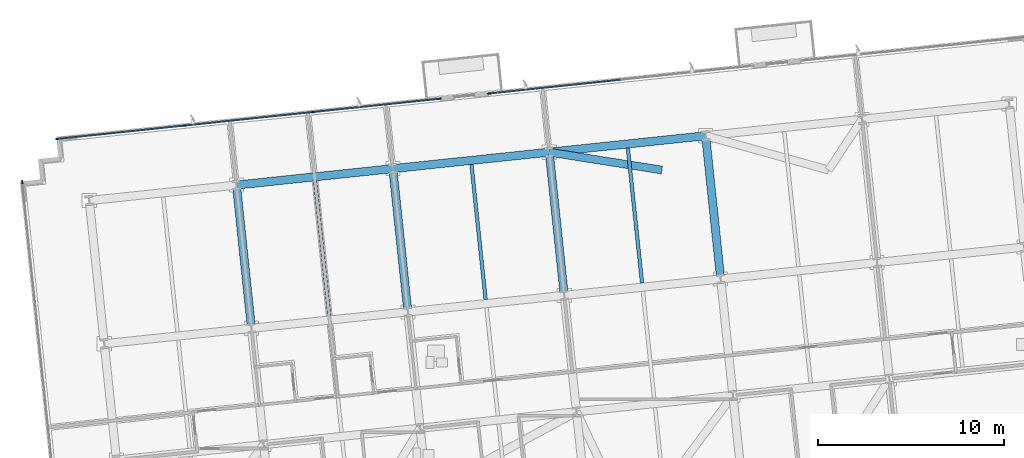
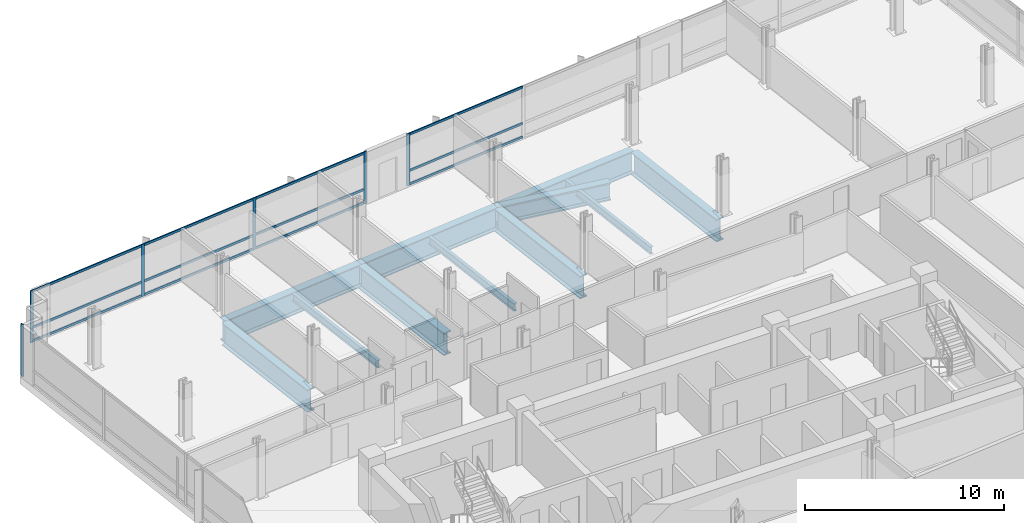
# One storey, part 7 of 18: 18 members, 11 beams, 3 elements without a shape of their own.
"""IFC4 building model written with IfcOpenShell, lengths in metres."""

from ifc_helpers import new_model, si_unit, direction, frame, origin, origin_2d, place, context, subcontext, project, spatial, rectangle, i_section, extrude, material, material_profile, profile_set, type_object, element, aggregate, save


model = new_model("IFC4")

# Units and contexts
model_context = context("Model", 3, precision=1e-05, world=origin(), true_north=direction((0.0, 1.0)))
body_context = subcontext(model_context, "Body", "Model", "MODEL_VIEW")
ifc_project = project(units=[si_unit("LENGTHUNIT", "METRE"), si_unit("AREAUNIT", "SQUARE_METRE"), si_unit("VOLUMEUNIT", "CUBIC_METRE"), si_unit("PLANEANGLEUNIT", "RADIAN"), si_unit("MASSUNIT", "GRAM", prefix="KILO")], contexts=[model_context])

# Site, building, storey
site_placement = place(None, origin())
site = spatial("IfcSite", under=ifc_project, at=site_placement, CompositionType="ELEMENT")
building_placement = place(site_placement, origin())
building = spatial("IfcBuilding", under=site, at=building_placement, Name="Solmavex Isthmus Hotel", CompositionType="ELEMENT")
storey_placement = place(building_placement, frame((0.0, 0.0, 80.10009765625)))
storey = spatial("IfcBuildingStorey", under=building, at=storey_placement, Name="L21", CompositionType="ELEMENT", Elevation=80.10009765625)

# Beams
ifc_material_1 = material(Name="Steel ASTM A992 Grade 50", Category="steel")
ifc_material_profile_1 = material_profile(ifc_material_1, i_section(OverallWidth=0.1904296875, OverallDepth=0.456787109375, WebThickness=0.009033203125, FlangeThickness=0.014404296875, FilletRadius=0.0126953125, at=origin_2d()), Name="W18X50")
ifc_profile_set_1 = profile_set([ifc_material_profile_1], Name="Steel ASTM A992 Grade 50")
beam_type_1 = type_object("IfcBeamType", Name="BM-BJ-W18X50", PredefinedType="JOIST", material=ifc_profile_set_1)
for number, where, z_axis, x_axis, name in (
    (1, (-8.93017578125, 9.04345703125, -0.678466796875), (-0.10454052524, 0.99452062753, 0.0), (-0.99452062753, -0.10454052524, 0.0), "Secondary Floor Joist L21-J08"),
    (2, (-0.5107421875, 9.92822265625, -0.678466796875), (-0.104507501103, 0.994524098357, 0.0), (-0.994524098357, -0.104507501103, 0.0), "Secondary Floor Joist L21-J12"),
    (3, (7.908935546875, 10.813232421875, -0.678466796875), (-0.104507501103, 0.994524098357, 0.0), (-0.994524098357, -0.104507501103, 0.0), "Secondary Floor Joist L21-J15"),
):
    element("IfcBeam", number, at=place(storey_placement, frame(where, z_axis=z_axis, x_axis=x_axis)), inside=storey, type_object=beam_type_1, Name=name, PredefinedType="JOIST", context=body_context, shape_type="SweptSolid", body=[
        extrude(i_section(OverallWidth=0.1904296875, OverallDepth=0.456787109375, WebThickness=0.009033203125, FlangeThickness=0.014404296875, FilletRadius=0.0126953125, at=origin_2d()), origin(), (0.0, 0.0, 1.0), 7.31201171875),
    ])
ifc_material_2 = material(Name="Steel ASTM A913 Grade 65", Category="steel")
ifc_material_profile_2 = material_profile(ifc_material_2, i_section(OverallWidth=0.42431640625, OverallDepth=1.09228515625, WebThickness=0.04541015625, FlangeThickness=0.08203125, FilletRadius=0.030517578125, at=origin_2d()), Name="W40X593")
ifc_profile_set_2 = profile_set([ifc_material_profile_2], Name="Steel ASTM A913 Grade 65")
beam_type_2 = type_object("IfcBeamType", Name="BM-TB-W40X397", PredefinedType="BEAM", material=ifc_profile_set_2)
beam_placement = place(storey_placement, frame((8.97607421875, 16.89990234375, -0.99609375), z_axis=(-0.987658286884, 0.156624098878, 0.0), x_axis=(-0.156624098878, -0.987658286884, 0.0)))
element("IfcBeam", 4, at=beam_placement, inside=storey, type_object=beam_type_2, Name="Core Outrigger Strut L20-OTN2", PredefinedType="BEAM", context=body_context, shape_type="SweptSolid", body=[
    extrude(i_section(OverallWidth=0.42431640625, OverallDepth=1.09228515625, WebThickness=0.04541015625, FlangeThickness=0.08203125, FilletRadius=0.030517578125, at=origin_2d()), origin(), (0.0, 0.0, 1.0), 6.139892578125),
])
ifc_material_3 = material(Name="Steel ASTM A572 Grade 50", Category="steel")
ifc_material_profile_3 = material_profile(ifc_material_3, i_section(OverallWidth=0.43994140625, OverallDepth=1.3798828125, WebThickness=0.030029296875, FlangeThickness=0.054931640625, FilletRadius=0.030517578125, at=origin_2d()), Name="I1380X440")
ifc_profile_set_3 = profile_set([ifc_material_profile_3], Name="Steel ASTM A572 Grade 50")
beam_type_3 = type_object("IfcBeamType", Name="BM-TG-I1380", PredefinedType="BEAM", material=ifc_profile_set_3)
for number, where, z_axis, x_axis, name in (
    (5, (-13.927490234375, 16.091552734375, -1.14013671875), (0.994521085209, 0.104536171134, 0.0), (-0.104536171134, 0.994521085209, 0.0), "Outrigger Collector Girder L21-UG18"),
    (6, (-5.5078125, 16.9765625, -1.14013671875), (0.994521085209, 0.104536171134, 0.0), (-0.104536171134, 0.994521085209, 0.0), "Outrigger Collector Girder L21-UG19"),
    (7, (2.911865234375, 17.861572265625, -1.14013671875), (0.994521085209, 0.104536171134, 0.0), (-0.104536171134, 0.994521085209, 0.0), "Outrigger Collector Girder L21-UG20"),
):
    element("IfcBeam", number, at=place(storey_placement, frame(where, z_axis=z_axis, x_axis=x_axis)), inside=storey, type_object=beam_type_3, Name=name, PredefinedType="BEAM", context=body_context, shape_type="SweptSolid", body=[
        extrude(i_section(OverallWidth=0.43994140625, OverallDepth=1.3798828125, WebThickness=0.030029296875, FlangeThickness=0.054931640625, FilletRadius=0.030517578125, at=origin_2d()), origin(), (0.0, 0.0, 1.0), 8.466064453125),
    ])
for number, where, z_axis, x_axis, name in (
    (8, (-13.14013671875, 8.600830078125, -1.14013671875), (-0.104507501103, 0.994524098357, 0.0), (-0.994524098357, -0.104507501103, 0.0), "Outrigger Collector Beam L21-VG29"),
    (9, (-4.720458984375, 9.48583984375, -1.14013671875), (-0.10454052524, 0.99452062753, 0.0), (-0.99452062753, -0.10454052524, 0.0), "Outrigger Collector Beam L21-VG33"),
    (10, (3.69921875, 10.370849609375, -1.14013671875), (-0.10454052524, 0.99452062753, 0.0), (-0.99452062753, -0.10454052524, 0.0), "Outrigger Collector Beam L21-VG37"),
    (11, (12.118896484375, 11.255615234375, -1.14013671875), (-0.10454052524, 0.99452062753, 0.0), (-0.99452062753, -0.10454052524, 0.0), "Outrigger Collector Beam L21-VG40"),
):
    element("IfcBeam", number, at=place(storey_placement, frame(where, z_axis=z_axis, x_axis=x_axis)), inside=storey, type_object=beam_type_3, Name=name, PredefinedType="BEAM", context=body_context, shape_type="SweptSolid", body=[
        extrude(i_section(OverallWidth=0.43994140625, OverallDepth=1.3798828125, WebThickness=0.030029296875, FlangeThickness=0.054931640625, FilletRadius=0.030517578125, at=origin_2d()), origin(), (0.0, 0.0, 1.0), 7.31201171875),
    ])

# Curtain wall, members
ifc_material_4 = material(Name="Aluminium alloy 6063-T6", Category="aluminium")
curtain_wall_type = type_object("IfcCurtainWallType", Name="CW-SYS-03", PredefinedType="NOTDEFINED", material=ifc_material_4)
curtain_wall_1_placement = place(storey_placement, origin())
curtain_wall_1 = element("IfcCurtainWall", 12, at=curtain_wall_1_placement, inside=storey, type_object=curtain_wall_type, Name="Stick Curtain Wall CWL-L21-N1", PredefinedType="NOTDEFINED")
ifc_material_profile_4 = material_profile(ifc_material_4, rectangle(XDim=0.070068359375, YDim=0.179931640625, at=origin_2d()), Name="CWM-70X180")
ifc_profile_set_4 = profile_set([ifc_material_profile_4], Name="Aluminium alloy 6063-T6")
member_type_1 = type_object("IfcMemberType", Name="CW-SYS-03-MUL", PredefinedType="MULLION", material=ifc_profile_set_4)
member_1_placement = place(storey_placement, frame((-23.572998046875, 18.5771484375, 0.0), z_axis=(0.0, 0.0, 1.0), x_axis=(-0.10452832057, 0.994521910366, 0.0)))
member_1 = element("IfcMember", 13, at=member_1_placement, type_object=member_type_1, Name="CW-03 mullion 1", PredefinedType="MULLION", context=body_context, shape_type="SweptSolid", body=[
    extrude(rectangle(XDim=0.070068359375, YDim=0.179931640625, at=origin_2d()), origin(), (0.0, 0.0, 1.0), 3.18994140625),
])
member_2_placement = place(storey_placement, frame((-16.723388671875, 19.296875, 0.0), z_axis=(0.0, 0.0, 1.0), x_axis=(-0.10452832057, 0.994521910366, 0.0)))
member_2 = element("IfcMember", 14, at=member_2_placement, type_object=member_type_1, Name="CW-03 mullion 2", PredefinedType="MULLION", context=body_context, shape_type="SweptSolid", body=[
    extrude(rectangle(XDim=0.070068359375, YDim=0.179931640625, at=origin_2d()), origin(), (0.0, 0.0, 1.0), 3.18994140625),
])
member_3_placement = place(storey_placement, frame((-9.839111328125, 20.0205078125, 0.0), z_axis=(0.0, 0.0, 1.0), x_axis=(-0.10452832057, 0.994521910366, 0.0)))
member_3 = element("IfcMember", 15, at=member_3_placement, type_object=member_type_1, Name="CW-03 mullion 3", PredefinedType="MULLION", context=body_context, shape_type="SweptSolid", body=[
    extrude(rectangle(XDim=0.070068359375, YDim=0.179931640625, at=origin_2d()), origin(), (0.0, 0.0, 1.0), 3.18994140625),
])
member_4_placement = place(storey_placement, frame((-2.989501953125, 20.740478515625, 0.0), z_axis=(0.0, 0.0, 1.0), x_axis=(-0.10452832057, 0.994521910366, 0.0)))
member_4 = element("IfcMember", 16, at=member_4_placement, type_object=member_type_1, Name="CW-03 mullion 4", PredefinedType="MULLION", context=body_context, shape_type="SweptSolid", body=[
    extrude(rectangle(XDim=0.070068359375, YDim=0.179931640625, at=origin_2d()), origin(), (0.0, 0.0, 1.0), 3.18994140625),
])

# Curtain wall, member
curtain_wall_2_placement = place(storey_placement, origin())
curtain_wall_2 = element("IfcCurtainWall", 17, at=curtain_wall_2_placement, inside=storey, type_object=curtain_wall_type, Name="Stick Curtain Wall CWL-L21-N2", PredefinedType="NOTDEFINED")
member_5_placement = place(storey_placement, frame((-0.333984375, 21.01953125, 0.0), z_axis=(0.0, 0.0, 1.0), x_axis=(-0.10452900389, 0.994521838546, 0.0)))
member_5 = element("IfcMember", 18, at=member_5_placement, type_object=member_type_1, Name="CW-03 mullion 1", PredefinedType="MULLION", context=body_context, shape_type="SweptSolid", body=[
    extrude(rectangle(XDim=0.070068359375, YDim=0.179931640625, at=origin_2d()), origin(), (0.0, 0.0, 1.0), 3.18994140625),
])

curtain_wall_3_placement = place(storey_placement, origin())
curtain_wall_3 = element("IfcCurtainWall", 19, at=curtain_wall_3_placement, inside=storey, type_object=curtain_wall_type, Name="Stick Curtain Wall CWL-L21-W1", PredefinedType="NOTDEFINED")
member_6_placement = place(storey_placement, frame((-25.455322265625, 16.25244140625, 0.0), z_axis=(0.0, 0.0, 1.0), x_axis=(-0.994521893044, -0.104528485381, 0.0)))
member_6 = element("IfcMember", 20, at=member_6_placement, type_object=member_type_1, Name="CW-03 mullion 6", PredefinedType="MULLION", context=body_context, shape_type="SweptSolid", body=[
    extrude(rectangle(XDim=0.070068359375, YDim=0.179931640625, at=origin_2d()), origin(), (0.0, 0.0, 1.0), 3.18994140625),
])
aggregate(curtain_wall_3, [member_6])

# Member
ifc_material_profile_5 = material_profile(ifc_material_4, rectangle(XDim=0.070068359375, YDim=0.139892578125, at=origin_2d()), Name="CWT-70X140")
ifc_profile_set_5 = profile_set([ifc_material_profile_5], Name="Aluminium alloy 6063-T6")
member_type_2 = type_object("IfcMemberType", Name="CW-SYS-03-TRN", PredefinedType="USERDEFINED", material=ifc_profile_set_5)
member_7_placement = place(storey_placement, frame((-23.5380859375, 18.58056640625, 0.06982421875), z_axis=(0.994520944536, 0.104537509438, 0.0), x_axis=(-0.104537509438, 0.994520944536, 0.0)))
member_7 = element("IfcMember", 21, at=member_7_placement, type_object=member_type_2, Name="CW-03 transom 1.1", ObjectType="TRANSOM", PredefinedType="USERDEFINED", context=body_context, shape_type="SweptSolid", body=[
    extrude(rectangle(XDim=0.070068359375, YDim=0.139892578125, at=origin_2d()), origin(), (0.0, 0.0, 1.0), 6.817138671875),
])

member_8_placement = place(storey_placement, frame((-23.5380859375, 18.58056640625, 0.89990234375), z_axis=(0.994520944536, 0.104537509438, 0.0), x_axis=(-0.104537509438, 0.994520944536, 0.0)))
member_8 = element("IfcMember", 22, at=member_8_placement, type_object=member_type_2, Name="CW-03 transom 1.2", ObjectType="TRANSOM", PredefinedType="USERDEFINED", context=body_context, shape_type="SweptSolid", body=[
    extrude(rectangle(XDim=0.070068359375, YDim=0.139892578125, at=origin_2d()), origin(), (0.0, 0.0, 1.0), 6.817138671875),
])

member_9_placement = place(storey_placement, frame((-23.5380859375, 18.58056640625, 3.119873046875), z_axis=(0.994520944536, 0.104537509438, 0.0), x_axis=(-0.104537509438, 0.994520944536, 0.0)))
member_9 = element("IfcMember", 23, at=member_9_placement, type_object=member_type_2, Name="CW-03 transom 1.3", ObjectType="TRANSOM", PredefinedType="USERDEFINED", context=body_context, shape_type="SweptSolid", body=[
    extrude(rectangle(XDim=0.070068359375, YDim=0.139892578125, at=origin_2d()), origin(), (0.0, 0.0, 1.0), 6.817138671875),
])

member_10_placement = place(storey_placement, frame((-16.6884765625, 19.300537109375, 0.06982421875), z_axis=(0.994521060183, 0.104536409221, 0.0), x_axis=(-0.104536409221, 0.994521060183, 0.0)))
member_10 = element("IfcMember", 24, at=member_10_placement, type_object=member_type_2, Name="CW-03 transom 2.1", ObjectType="TRANSOM", PredefinedType="USERDEFINED", context=body_context, shape_type="SweptSolid", body=[
    extrude(rectangle(XDim=0.070068359375, YDim=0.139892578125, at=origin_2d()), origin(), (0.0, 0.0, 1.0), 6.852294921875),
])

member_11_placement = place(storey_placement, frame((-16.6884765625, 19.300537109375, 0.89990234375), z_axis=(0.994521060183, 0.104536409221, 0.0), x_axis=(-0.104536409221, 0.994521060183, 0.0)))
member_11 = element("IfcMember", 25, at=member_11_placement, type_object=member_type_2, Name="CW-03 transom 2.2", ObjectType="TRANSOM", PredefinedType="USERDEFINED", context=body_context, shape_type="SweptSolid", body=[
    extrude(rectangle(XDim=0.070068359375, YDim=0.139892578125, at=origin_2d()), origin(), (0.0, 0.0, 1.0), 6.852294921875),
])

member_12_placement = place(storey_placement, frame((-16.6884765625, 19.300537109375, 3.119873046875), z_axis=(0.994521060183, 0.104536409221, 0.0), x_axis=(-0.104536409221, 0.994521060183, 0.0)))
member_12 = element("IfcMember", 26, at=member_12_placement, type_object=member_type_2, Name="CW-03 transom 2.3", ObjectType="TRANSOM", PredefinedType="USERDEFINED", context=body_context, shape_type="SweptSolid", body=[
    extrude(rectangle(XDim=0.070068359375, YDim=0.139892578125, at=origin_2d()), origin(), (0.0, 0.0, 1.0), 6.852294921875),
])

member_13_placement = place(storey_placement, frame((-9.80419921875, 20.024169921875, 0.06982421875), z_axis=(0.99452133588, 0.104533786303, 0.0), x_axis=(-0.104533786303, 0.99452133588, 0.0)))
member_13 = element("IfcMember", 27, at=member_13_placement, type_object=member_type_2, Name="CW-03 transom 3.1", ObjectType="TRANSOM", PredefinedType="USERDEFINED", context=body_context, shape_type="SweptSolid", body=[
    extrude(rectangle(XDim=0.070068359375, YDim=0.139892578125, at=origin_2d()), origin(), (0.0, 0.0, 1.0), 6.8173828125),
])

member_14_placement = place(storey_placement, frame((-9.80419921875, 20.024169921875, 0.89990234375), z_axis=(0.99452133588, 0.104533786303, 0.0), x_axis=(-0.104533786303, 0.99452133588, 0.0)))
member_14 = element("IfcMember", 28, at=member_14_placement, type_object=member_type_2, Name="CW-03 transom 3.2", ObjectType="TRANSOM", PredefinedType="USERDEFINED", context=body_context, shape_type="SweptSolid", body=[
    extrude(rectangle(XDim=0.070068359375, YDim=0.139892578125, at=origin_2d()), origin(), (0.0, 0.0, 1.0), 6.8173828125),
])

member_15_placement = place(storey_placement, frame((-9.80419921875, 20.024169921875, 3.119873046875), z_axis=(0.99452133588, 0.104533786303, 0.0), x_axis=(-0.104533786303, 0.99452133588, 0.0)))
member_15 = element("IfcMember", 29, at=member_15_placement, type_object=member_type_2, Name="CW-03 transom 3.3", ObjectType="TRANSOM", PredefinedType="USERDEFINED", context=body_context, shape_type="SweptSolid", body=[
    extrude(rectangle(XDim=0.070068359375, YDim=0.139892578125, at=origin_2d()), origin(), (0.0, 0.0, 1.0), 6.8173828125),
])

aggregate(curtain_wall_1, [member_1, member_2, member_3, member_4, member_7, member_8, member_9, member_10, member_11, member_12, member_13, member_14, member_15])

member_16_placement = place(storey_placement, frame((-0.29931640625, 21.023193359375, 0.06982421875), z_axis=(0.9945226797, 0.104521000582, 0.0), x_axis=(-0.104521000582, 0.9945226797, 0.0)))
member_16 = element("IfcMember", 30, at=member_16_placement, type_object=member_type_2, Name="CW-03 transom 1.1", ObjectType="TRANSOM", PredefinedType="USERDEFINED", context=body_context, shape_type="SweptSolid", body=[
    extrude(rectangle(XDim=0.070068359375, YDim=0.139892578125, at=origin_2d()), origin(), (0.0, 0.0, 1.0), 7.06103515625),
])

member_17_placement = place(storey_placement, frame((-0.29931640625, 21.023193359375, 0.89990234375), z_axis=(0.9945226797, 0.104521000582, 0.0), x_axis=(-0.104521000582, 0.9945226797, 0.0)))
member_17 = element("IfcMember", 31, at=member_17_placement, type_object=member_type_2, Name="CW-03 transom 1.2", ObjectType="TRANSOM", PredefinedType="USERDEFINED", context=body_context, shape_type="SweptSolid", body=[
    extrude(rectangle(XDim=0.070068359375, YDim=0.139892578125, at=origin_2d()), origin(), (0.0, 0.0, 1.0), 7.06103515625),
])

member_18_placement = place(storey_placement, frame((-0.29931640625, 21.023193359375, 3.119873046875), z_axis=(0.9945226797, 0.104521000582, 0.0), x_axis=(-0.104521000582, 0.9945226797, 0.0)))
member_18 = element("IfcMember", 32, at=member_18_placement, type_object=member_type_2, Name="CW-03 transom 1.3", ObjectType="TRANSOM", PredefinedType="USERDEFINED", context=body_context, shape_type="SweptSolid", body=[
    extrude(rectangle(XDim=0.070068359375, YDim=0.139892578125, at=origin_2d()), origin(), (0.0, 0.0, 1.0), 7.06103515625),
])

aggregate(curtain_wall_2, [member_5, member_16, member_17, member_18])

save(model, "model.ifc")
